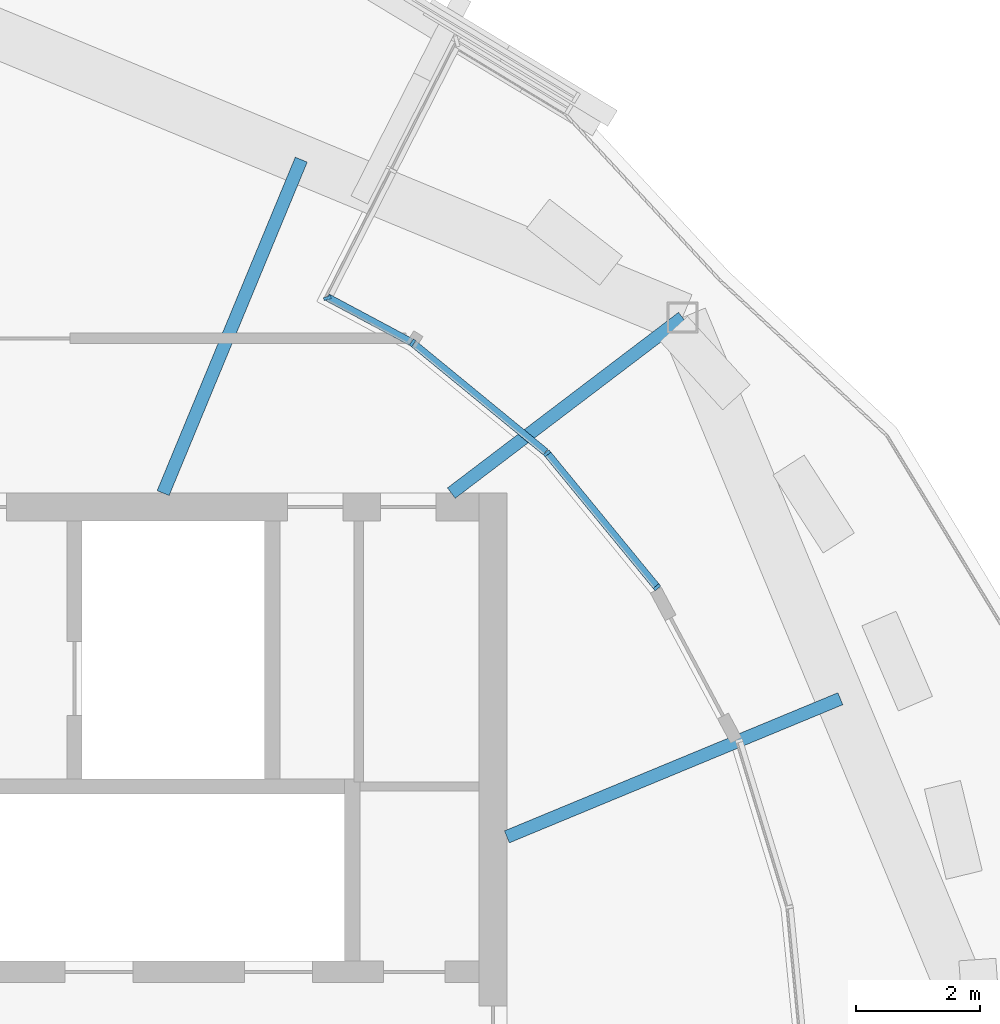
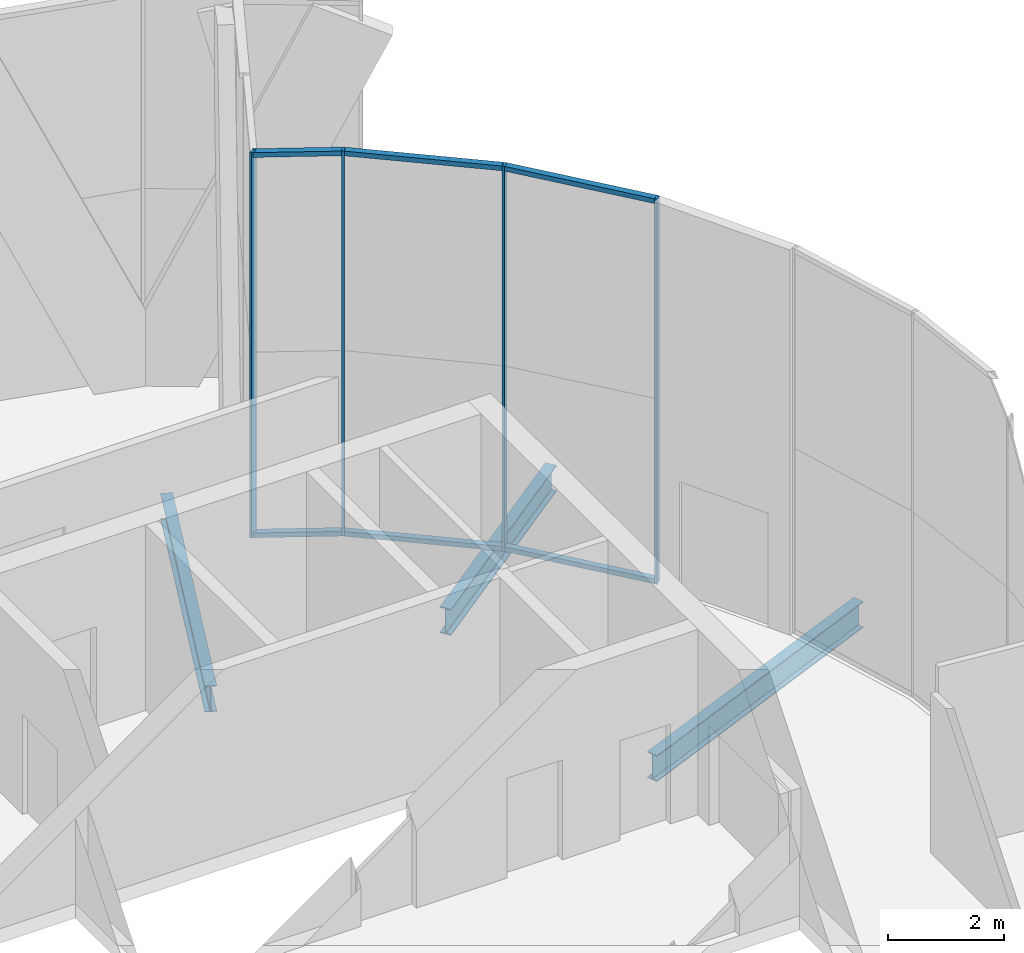
# One storey, part 6 of 24: 10 members, 3 beams, 2 elements without a shape of their own.
"""IFC4 building model written with IfcOpenShell, lengths in metres."""

from ifc_helpers import new_model, si_unit, direction, frame, origin, origin_2d, place, context, subcontext, project, spatial, rectangle, i_section, extrude, material, material_profile, profile_set, type_object, element, aggregate, save


model = new_model("IFC4")

# Units and contexts
model_context = context("Model", 3, precision=1e-05, world=origin(), true_north=direction((0.0, 1.0)))
body_context = subcontext(model_context, "Body", "Model", "MODEL_VIEW")
ifc_project = project(units=[si_unit("LENGTHUNIT", "METRE"), si_unit("AREAUNIT", "SQUARE_METRE"), si_unit("VOLUMEUNIT", "CUBIC_METRE"), si_unit("PLANEANGLEUNIT", "RADIAN"), si_unit("MASSUNIT", "GRAM", prefix="KILO")], contexts=[model_context])

# Site, building, storey
site_placement = place(None, origin())
site = spatial("IfcSite", under=ifc_project, at=site_placement, CompositionType="ELEMENT")
building_placement = place(site_placement, origin())
building = spatial("IfcBuilding", under=site, at=building_placement, Name="Ogive Gate Towers", CompositionType="ELEMENT")
storey_placement = place(building_placement, frame((0.0, 0.0, 277.199951171875)))
storey = spatial("IfcBuildingStorey", under=building, at=storey_placement, Name="L65", CompositionType="ELEMENT", Elevation=277.199951171875)

# Beams
ifc_material_1 = material(Name="Steel SM355", Category="steel")
ifc_material_profile_1 = material_profile(ifc_material_1, i_section(OverallWidth=0.2099609375, OverallDepth=0.550048828125, WebThickness=0.010986328125, FlangeThickness=0.01708984375, FilletRadius=0.02392578125, at=origin_2d()), Name="IPE 550")
ifc_profile_set_1 = profile_set([ifc_material_profile_1], Name="Steel SM355")
beam_type = type_object("IfcBeamType", Name="Radial floor beam IPE 550", PredefinedType="BEAM", material=ifc_profile_set_1)
beam_1_placement = place(storey_placement, frame((-26.5, 3.93505859375, -0.574951171875), z_axis=(0.923872213225, 0.382701102209, 0.0), x_axis=(-0.382701102209, 0.923872213225, 0.0)))
element("IfcBeam", 1, at=beam_1_placement, inside=storey, type_object=beam_type, Name="T1/L65/SBM008", PredefinedType="BEAM", context=body_context, shape_type="SweptSolid", body=[
    extrude(i_section(OverallWidth=0.2099609375, OverallDepth=0.550048828125, WebThickness=0.010986328125, FlangeThickness=0.01708984375, FilletRadius=0.02392578125, at=origin_2d()), origin(), (0.0, 0.0, 1.0), 5.843505859375),
])
beam_2_placement = place(storey_placement, frame((-27.39990234375, 9.5, -0.574951171875), z_axis=(0.796338347087, 0.604851417257, 0.0), x_axis=(-0.604851417257, 0.796338347087, 0.0)))
element("IfcBeam", 2, at=beam_2_placement, inside=storey, type_object=beam_type, Name="T1/L65/SBM009", PredefinedType="BEAM", context=body_context, shape_type="SweptSolid", body=[
    extrude(i_section(OverallWidth=0.2099609375, OverallDepth=0.550048828125, WebThickness=0.010986328125, FlangeThickness=0.01708984375, FilletRadius=0.02392578125, at=origin_2d()), origin(), (0.0, 0.0, 1.0), 4.699462890625),
])
beam_3_placement = place(storey_placement, frame((-32.06494140625, 9.5, -0.574951171875), z_axis=(0.382701102209, 0.923872213225, 0.0), x_axis=(-0.923872213225, 0.382701102209, 0.0)))
element("IfcBeam", 3, at=beam_3_placement, inside=storey, type_object=beam_type, Name="T1/L65/SBM010", PredefinedType="BEAM", context=body_context, shape_type="SweptSolid", body=[
    extrude(i_section(OverallWidth=0.2099609375, OverallDepth=0.550048828125, WebThickness=0.010986328125, FlangeThickness=0.01708984375, FilletRadius=0.02392578125, at=origin_2d()), origin(), (0.0, 0.0, 1.0), 5.843505859375),
])

# Curtain wall, members
ifc_material_2 = material(Name="Pale metal aluminium", Category="aluminium")
curtain_wall_type = type_object("IfcCurtainWallType", Name="Sky garden glazing", PredefinedType="NOTDEFINED", material=ifc_material_2)
curtain_wall_1_placement = place(storey_placement, origin())
curtain_wall_1 = element("IfcCurtainWall", 4, at=curtain_wall_1_placement, inside=storey, type_object=curtain_wall_type, Name="CW4 T1 ECW01", PredefinedType="NOTDEFINED")
ifc_material_profile_2 = material_profile(ifc_material_2, rectangle(XDim=0.1201171875, YDim=0.050048828125, at=origin_2d()), Name="50 x 120 aluminium box")
ifc_profile_set_2 = profile_set([ifc_material_profile_2], Name="Pale metal aluminium")
member_type_1 = type_object("IfcMemberType", Name="Sky garden glazing mullion 50 x 120", PredefinedType="MULLION", material=ifc_profile_set_2)
member_1_placement = place(storey_placement, frame((-25.85009765625, 10.144287109375, 0.0), z_axis=(0.0, 0.0, 1.0), x_axis=(-0.772999380993, -0.634406775645, 0.0)))
member_1 = element("IfcMember", 5, at=member_1_placement, type_object=member_type_1, Name="CW4 mullion", PredefinedType="MULLION", context=body_context, shape_type="SweptSolid", body=[
    extrude(rectangle(XDim=0.1201171875, YDim=0.050048828125, at=origin_2d()), origin(), (0.0, 0.0, 1.0), 8.10009765625),
])
member_2_placement = place(storey_placement, frame((-24.0703125, 7.975830078125, 0.0), z_axis=(0.0, 0.0, 1.0), x_axis=(-0.772999380993, -0.634406775645, 0.0)))
member_2 = element("IfcMember", 6, at=member_2_placement, type_object=member_type_1, Name="CW4 mullion", PredefinedType="MULLION", context=body_context, shape_type="SweptSolid", body=[
    extrude(rectangle(XDim=0.1201171875, YDim=0.050048828125, at=origin_2d()), origin(), (0.0, 0.0, 1.0), 8.10009765625),
])

curtain_wall_2_placement = place(storey_placement, origin())
curtain_wall_2 = element("IfcCurtainWall", 7, at=curtain_wall_2_placement, inside=storey, type_object=curtain_wall_type, Name="CW4 T1 ECW02", PredefinedType="NOTDEFINED")
member_3_placement = place(storey_placement, frame((-29.40673828125, 12.656494140625, 0.0), z_axis=(0.0, 0.0, 1.0), x_axis=(-0.954041787297, -0.299673602593, 0.0)))
member_3 = element("IfcMember", 8, at=member_3_placement, type_object=member_type_1, Name="CW4 mullion", PredefinedType="MULLION", context=body_context, shape_type="SweptSolid", body=[
    extrude(rectangle(XDim=0.1201171875, YDim=0.050048828125, at=origin_2d()), origin(), (0.0, 0.0, 1.0), 8.10009765625),
])
member_4_placement = place(storey_placement, frame((-28.02734375, 11.931884765625, 0.0), z_axis=(0.0, 0.0, 1.0), x_axis=(-0.55557023302, -0.831469612303, 0.0)))
member_4 = element("IfcMember", 9, at=member_4_placement, type_object=member_type_1, Name="CW4 mullion", PredefinedType="MULLION", context=body_context, shape_type="SweptSolid", body=[
    extrude(rectangle(XDim=0.1201171875, YDim=0.050048828125, at=origin_2d()), origin(), (0.0, 0.0, 1.0), 8.10009765625),
])

# Member
ifc_material_profile_3 = material_profile(ifc_material_2, rectangle(XDim=0.1201171875, YDim=0.10009765625, at=origin_2d()), Name="100 x 120 aluminium box")
ifc_profile_set_3 = profile_set([ifc_material_profile_3], Name="Pale metal aluminium")
member_type_2 = type_object("IfcMemberType", Name="Sky garden glazing transom 100 x 120", PredefinedType="USERDEFINED", material=ifc_profile_set_3)
member_5_placement = place(storey_placement, frame((-25.834228515625, 10.125, 8.050048828125), z_axis=(0.634414368432, -0.77299314947, 0.0), x_axis=(0.77299314947, 0.634414368432, 0.0)))
member_5 = element("IfcMember", 10, at=member_5_placement, type_object=member_type_2, Name="CW4 transom", ObjectType="TRANSOM", PredefinedType="USERDEFINED", context=body_context, shape_type="SweptSolid", body=[
    extrude(rectangle(XDim=0.1201171875, YDim=0.10009765625, at=origin_2d()), origin(), (0.0, 0.0, 1.0), 2.75537109375),
])

member_6_placement = place(storey_placement, frame((-25.834228515625, 10.125, 0.050048828125), z_axis=(0.634414368432, -0.77299314947, 0.0), x_axis=(0.77299314947, 0.634414368432, 0.0)))
member_6 = element("IfcMember", 11, at=member_6_placement, type_object=member_type_2, Name="CW4 transom", ObjectType="TRANSOM", PredefinedType="USERDEFINED", context=body_context, shape_type="SweptSolid", body=[
    extrude(rectangle(XDim=0.1201171875, YDim=0.10009765625, at=origin_2d()), origin(), (0.0, 0.0, 1.0), 2.75537109375),
])

aggregate(curtain_wall_1, [member_1, member_2, member_5, member_6])

member_7_placement = place(storey_placement, frame((-29.404052734375, 12.668212890625, 8.050048828125), z_axis=(0.881889410548, -0.471456326253, 0.0), x_axis=(0.471456326253, 0.881889410548, 0.0)))
member_7 = element("IfcMember", 12, at=member_7_placement, type_object=member_type_2, Name="CW4 transom", ObjectType="TRANSOM", PredefinedType="USERDEFINED", context=body_context, shape_type="SweptSolid", body=[
    extrude(rectangle(XDim=0.1201171875, YDim=0.10009765625, at=origin_2d()), origin(), (0.0, 0.0, 1.0), 1.5322265625),
])

member_8_placement = place(storey_placement, frame((-29.404052734375, 12.668212890625, 0.050048828125), z_axis=(0.881889410548, -0.471456326253, 0.0), x_axis=(0.471456326253, 0.881889410548, 0.0)))
member_8 = element("IfcMember", 13, at=member_8_placement, type_object=member_type_2, Name="CW4 transom", ObjectType="TRANSOM", PredefinedType="USERDEFINED", context=body_context, shape_type="SweptSolid", body=[
    extrude(rectangle(XDim=0.1201171875, YDim=0.10009765625, at=origin_2d()), origin(), (0.0, 0.0, 1.0), 1.5322265625),
])

member_9_placement = place(storey_placement, frame((-28.0048828125, 11.913818359375, 8.050048828125), z_axis=(0.77299314947, -0.634414368432, 0.0), x_axis=(0.634414368432, 0.77299314947, 0.0)))
member_9 = element("IfcMember", 14, at=member_9_placement, type_object=member_type_2, Name="CW4 transom", ObjectType="TRANSOM", PredefinedType="USERDEFINED", context=body_context, shape_type="SweptSolid", body=[
    extrude(rectangle(XDim=0.1201171875, YDim=0.10009765625, at=origin_2d()), origin(), (0.0, 0.0, 1.0), 2.75537109375),
])

member_10_placement = place(storey_placement, frame((-28.0048828125, 11.913818359375, 0.050048828125), z_axis=(0.77299314947, -0.634414368432, 0.0), x_axis=(0.634414368432, 0.77299314947, 0.0)))
member_10 = element("IfcMember", 15, at=member_10_placement, type_object=member_type_2, Name="CW4 transom", ObjectType="TRANSOM", PredefinedType="USERDEFINED", context=body_context, shape_type="SweptSolid", body=[
    extrude(rectangle(XDim=0.1201171875, YDim=0.10009765625, at=origin_2d()), origin(), (0.0, 0.0, 1.0), 2.75537109375),
])

aggregate(curtain_wall_2, [member_3, member_4, member_7, member_8, member_9, member_10])

save(model, "model.ifc")
